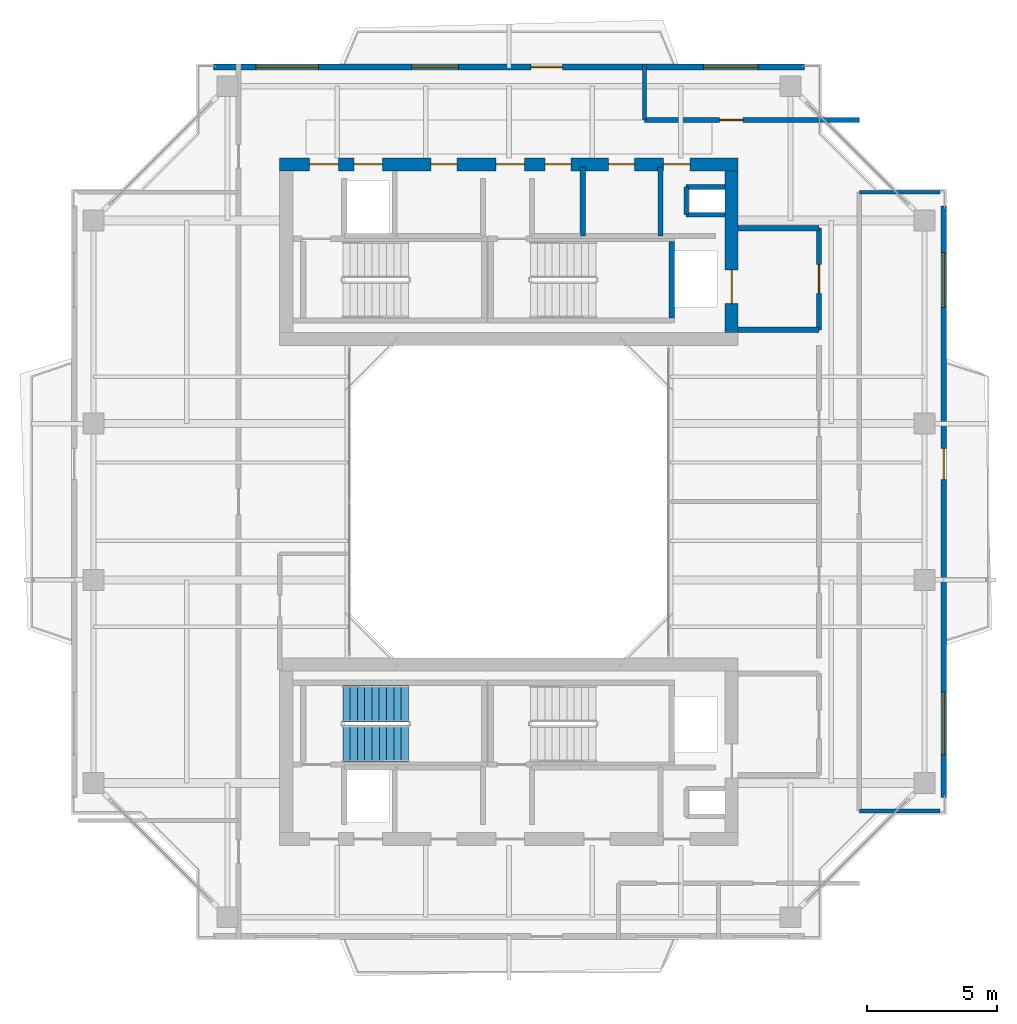
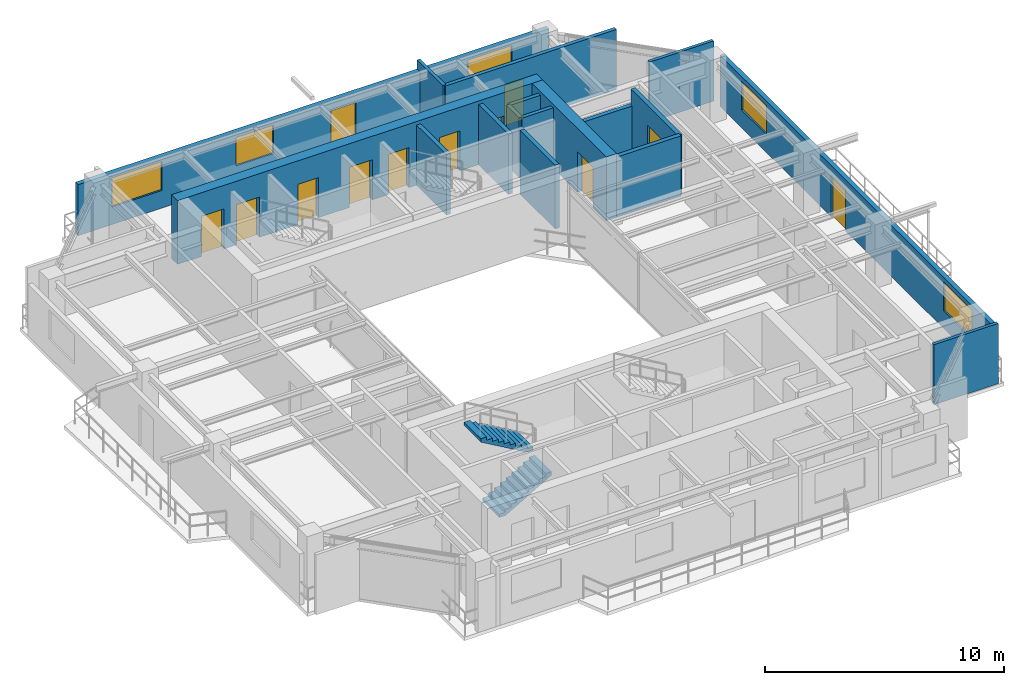
# One storey, part 12 of 15: 17 walls, 12 doors, 5 windows, 2 stair flights, 17 openings, 1 element without a shape of its own.
"""IFC4 building model written with IfcOpenShell, lengths in metres."""

import ifcopenshell
import ifcopenshell.guid

model = None  # the IFC model being written
_history = None  # IfcOwnerHistory: only IFC2X3 demands one
_inside = {}  # id of a spatial element -> (the spatial element, [elements in it])
_under = {}  # id of a project, library or spatial element -> (it, [spatial elements below it])
_declared = {}  # id of a project -> (the project, [libraries it declares])
_typed = {}  # id of a type object -> (the type object, [elements of that type])
_made_of = {}  # id of a material, layer set ... -> (it, [elements and type objects made of it])


def new_model(schema):
    """Start an empty IFC model of exactly this schema.

    Asked for "IFC4X3", IfcOpenShell would pick the latest addendum, in which some entities
    have other attributes; the version numbers below select the first issue.
    IFC2X3 requires an IfcOwnerHistory on every rooted entity: one is made here for all.
    """
    global model, _history
    if schema == "IFC4X3":
        model = ifcopenshell.file(schema_version=(4, 3, 0, 0))
    else:
        model = ifcopenshell.file(schema=schema)
    _inside.clear()
    _under.clear()
    _declared.clear()
    _typed.clear()
    _made_of.clear()
    _history = None
    if model.schema == "IFC2X3":
        org = make("IfcOrganization", Name="unknown")
        user = make(
            "IfcPersonAndOrganization",
            ThePerson=make("IfcPerson", FamilyName="unknown"),
            TheOrganization=org,
        )
        app = make(
            "IfcApplication",
            ApplicationDeveloper=org,
            Version="unknown",
            ApplicationFullName="unknown",
            ApplicationIdentifier="unknown",
        )
        _history = make(
            "IfcOwnerHistory",
            OwningUser=user,
            OwningApplication=app,
            ChangeAction="ADDED",
            CreationDate=0,
        )
    return model


def make(cls, **values):
    """One entity of the class cls with the attributes given. An attribute that is None is left unset."""
    return model.create_entity(
        cls, **{name: value for name, value in values.items() if value is not None}
    )


def rooted(cls, **values):
    """An entity with a GlobalId (a new one), such as an element, a storey or a relation."""
    return make(cls, GlobalId=ifcopenshell.guid.new(), OwnerHistory=_history, **values)


def si_unit(unit_type, name, prefix=None):
    """IfcSIUnit, for example si_unit("LENGTHUNIT", "METRE", prefix="MILLI")."""
    return make("IfcSIUnit", UnitType=unit_type, Prefix=prefix, Name=name)


def assignment(units):
    """IfcUnitAssignment: the units of a project."""
    return None if units is None else make("IfcUnitAssignment", Units=units)


def point(xyz):
    """IfcCartesianPoint."""
    return None if xyz is None else make("IfcCartesianPoint", Coordinates=xyz)


def direction(xyz):
    """IfcDirection."""
    return None if xyz is None else make("IfcDirection", DirectionRatios=xyz)


def frame(location, z_axis=None, x_axis=None):
    """IfcAxis2Placement3D, a coordinate frame: its origin and axes. An axis left out is left unset."""
    return make(
        "IfcAxis2Placement3D",
        Location=point(location),
        Axis=direction(z_axis),
        RefDirection=direction(x_axis),
    )


def frame_2d(location, x_axis=None):
    """IfcAxis2Placement2D, a coordinate frame in the plane: its origin and x axis."""
    return make(
        "IfcAxis2Placement2D", Location=point(location), RefDirection=direction(x_axis)
    )


def origin():
    """The frame at (0, 0, 0) with its axes left unset."""
    return frame((0.0, 0.0, 0.0))


def place(relative_to, where):
    """IfcLocalPlacement: puts the frame where relative to a parent placement (None: the world)."""
    return make(
        "IfcLocalPlacement", PlacementRelTo=relative_to, RelativePlacement=where
    )


def context(
    kind, dimensions, precision=None, world=None, true_north=None, identifier=None
):
    """IfcGeometricRepresentationContext, for example the 3D "Model" context."""
    return make(
        "IfcGeometricRepresentationContext",
        ContextIdentifier=identifier,
        ContextType=kind,
        CoordinateSpaceDimension=dimensions,
        Precision=precision,
        WorldCoordinateSystem=world,
        TrueNorth=true_north,
    )


def subcontext(parent, identifier, kind, view, scale=None):
    """IfcGeometricRepresentationSubContext, for example "Body" below "Model"."""
    return make(
        "IfcGeometricRepresentationSubContext",
        ContextIdentifier=identifier,
        ContextType=kind,
        ParentContext=parent,
        TargetScale=scale,
        TargetView=view,
    )


def project(units=None, contexts=None):
    """IfcProject with its units and contexts."""
    return rooted(
        "IfcProject",
        Name="project",
        RepresentationContexts=contexts,
        UnitsInContext=assignment(units),
    )


def spatial(cls, under=None, at=None, **own):
    """A site, building, storey or space (cls), placed at a placement, below another one or the project."""
    s = rooted(cls, ObjectPlacement=at, **own)
    if under is not None:
        _under.setdefault(under.id(), (under, []))[1].append(s)
    return s


def polyline(points):
    """IfcPolyline through the points."""
    return make("IfcPolyline", Points=[point(p) for p in points])


def profile(cls, at=None, kind="AREA", **sizes):
    """A parametric profile (cls). Its sizes go by their IFC names, for example OverallWidth=200.0."""
    return make(cls, ProfileType=kind, Position=at, **sizes)


def rectangle(**sizes):
    """IfcRectangleProfileDef."""
    return profile("IfcRectangleProfileDef", **sizes)


def outline(outer, holes=None, kind="AREA"):
    """IfcArbitraryClosedProfileDef: a profile drawn as a closed curve; with holes, ...WithVoids."""
    if holes is None:
        return make("IfcArbitraryClosedProfileDef", ProfileType=kind, OuterCurve=outer)
    return make(
        "IfcArbitraryProfileDefWithVoids",
        ProfileType=kind,
        OuterCurve=outer,
        InnerCurves=holes,
    )


def extrude(swept, where, along, depth):
    """IfcExtrudedAreaSolid: the profile swept, set in the frame where, extruded along a direction by depth."""
    return make(
        "IfcExtrudedAreaSolid",
        SweptArea=swept,
        Position=where,
        ExtrudedDirection=direction(along),
        Depth=depth,
    )


def shape(context_of_items, identifier, shape_type, items):
    """IfcShapeRepresentation: the items that make up one representation, for example the "Body"."""
    return make(
        "IfcShapeRepresentation",
        ContextOfItems=context_of_items,
        RepresentationIdentifier=identifier,
        RepresentationType=shape_type,
        Items=items,
    )


def source(mapping_origin, context_of_items, identifier, shape_type, items):
    """IfcRepresentationMap: a shape defined once, which mapped items show again and again."""
    return make(
        "IfcRepresentationMap",
        MappingOrigin=mapping_origin,
        MappedRepresentation=shape(context_of_items, identifier, shape_type, items),
    )


def transform(
    local_origin,
    x_axis=None,
    y_axis=None,
    z_axis=None,
    scale=None,
    scale2=None,
    scale3=None,
    uniform=True,
):
    """IfcCartesianTransformationOperator3D, or its non-uniform kind. x_axis, y_axis, z_axis: its Axis1, 2, 3."""
    if uniform:
        return make(
            "IfcCartesianTransformationOperator3D",
            Axis1=direction(x_axis),
            Axis2=direction(y_axis),
            LocalOrigin=point(local_origin),
            Scale=scale,
            Axis3=direction(z_axis),
        )
    return make(
        "IfcCartesianTransformationOperator3DnonUniform",
        Axis1=direction(x_axis),
        Axis2=direction(y_axis),
        LocalOrigin=point(local_origin),
        Scale=scale,
        Axis3=direction(z_axis),
        Scale2=scale2,
        Scale3=scale3,
    )


def mapped(mapping_source, mapping_target):
    """IfcMappedItem: shows the shape of a source again, moved by a transform."""
    return make(
        "IfcMappedItem", MappingSource=mapping_source, MappingTarget=mapping_target
    )


def material(Name=None, Category=None):
    """IfcMaterial."""
    return make("IfcMaterial", Name=Name, Category=Category)


def layer(
    of_material, thickness, ventilated=None, Name=None, Category=None, Priority=None
):
    """IfcMaterialLayer: one layer of a wall or slab, of a material (None: an air gap)."""
    return make(
        "IfcMaterialLayer",
        Material=of_material,
        LayerThickness=thickness,
        IsVentilated=ventilated,
        Name=Name,
        Category=Category,
        Priority=Priority,
    )


def layer_set(layers, Name=None):
    """IfcMaterialLayerSet."""
    return make("IfcMaterialLayerSet", MaterialLayers=layers, LayerSetName=Name)


def made_of(thing, what):
    """Note that an element or type object is made of a material, layer set ...; save() writes the relation."""
    if what is not None:
        _made_of.setdefault(what.id(), (what, []))[1].append(thing)
    return thing


def type_object(cls, material=None, **own):
    """A type object (cls), such as IfcWallType, which elements share."""
    return made_of(rooted(cls, **own), material)


def element(
    cls,
    number,
    at=None,
    inside=None,
    cuts=None,
    type_object=None,
    material=None,
    context=None,
    identifier="Body",
    shape_type=None,
    held_by="IfcProductDefinitionShape",
    body=None,
    shapes=None,
    **own,
):
    """One element of the class cls, such as IfcWall. Its Tag is "e" and its number.

    at: its placement. inside: the storey or other place that contains it. cuts: it is an
    opening in that element (IfcRelVoidsElement). A single representation is given by context,
    identifier, shape_type and body (its items); several are given by shapes. held_by: the class
    of the entity that holds the representations. save() writes the other relations.
    """
    e = rooted(cls, Tag="e%d" % number, ObjectPlacement=at, **own)
    if body is not None:
        shapes = [shape(context, identifier, shape_type, body)]
    if shapes is not None:
        e.Representation = make(held_by, Representations=shapes)
    if inside is not None:
        _inside.setdefault(inside.id(), (inside, []))[1].append(e)
    if cuts is not None:
        rooted(
            "IfcRelVoidsElement", RelatingBuildingElement=cuts, RelatedOpeningElement=e
        )
    if type_object is not None:
        _typed.setdefault(type_object.id(), (type_object, []))[1].append(e)
    return made_of(e, material)


def fill(opening, filler):
    """IfcRelFillsElement: the door or window that sits in an opening."""
    return rooted(
        "IfcRelFillsElement",
        RelatingOpeningElement=opening,
        RelatedBuildingElement=filler,
    )


def aggregate(whole, parts):
    """IfcRelAggregates: a whole, such as a stair, and the parts it consists of."""
    return rooted("IfcRelAggregates", RelatingObject=whole, RelatedObjects=parts)


def save(model, path):
    """Write the relations noted so far, then the file.

    IfcRelAggregates (storeys below a building ...), IfcRelContainedInSpatialStructure (elements
    in a storey), IfcRelDefinesByType, IfcRelAssociatesMaterial and IfcRelDeclares: one each for
    every whole, place, type object, material and project.
    """
    for whole, parts in _under.values():
        aggregate(whole, parts)
    for where, things in _inside.values():
        rooted(
            "IfcRelContainedInSpatialStructure",
            RelatedElements=things,
            RelatingStructure=where,
        )
    for kind, things in _typed.values():
        rooted("IfcRelDefinesByType", RelatedObjects=things, RelatingType=kind)
    for what, things in _made_of.values():
        rooted("IfcRelAssociatesMaterial", RelatedObjects=things, RelatingMaterial=what)
    for by, libraries in _declared.values():
        rooted("IfcRelDeclares", RelatingContext=by, RelatedDefinitions=libraries)
    model.write(path)


model = new_model("IFC4")

# Units and contexts
model_context = context("Model", 3, precision=1e-05, world=origin(), true_north=direction((0.0, 1.0)))
body_context = subcontext(model_context, "Body", "Model", "MODEL_VIEW")
ifc_project = project(units=[si_unit("LENGTHUNIT", "METRE"), si_unit("AREAUNIT", "SQUARE_METRE"), si_unit("VOLUMEUNIT", "CUBIC_METRE"), si_unit("PLANEANGLEUNIT", "RADIAN"), si_unit("MASSUNIT", "GRAM", prefix="KILO"), si_unit("THERMODYNAMICTEMPERATUREUNIT", "KELVIN"), si_unit("POWERUNIT", "WATT")], contexts=[model_context])

# Site, building, storey
site_placement = place(None, origin())
site = spatial("IfcSite", under=ifc_project, at=site_placement, CompositionType="ELEMENT")
building_placement = place(site_placement, origin())
building = spatial("IfcBuilding", under=site, at=building_placement, Name="Qiaomeng Ring Towers", CompositionType="ELEMENT")
storey_placement = place(building_placement, frame((0.0, 0.0, 226.25)))
storey = spatial("IfcBuildingStorey", under=building, at=storey_placement, Name="L66", CompositionType="ELEMENT", Elevation=226.25)

# Wall, openings, windows, door
ifc_material_1 = material(Name="Precast concrete C40", Category="concrete")
ifc_layer_1 = layer(ifc_material_1, 0.219970703125, Name="Precast concrete C40")
ifc_layer_set_1 = layer_set([ifc_layer_1], Name="Precast concrete C40")
wall_type_1 = type_object("IfcWallType", Name="ARC-WL-EW2", PredefinedType="STANDARD", material=ifc_layer_set_1)
wall_1_placement = place(storey_placement, frame((7.64990234375, 39.68994140625, 0.0), z_axis=(0.0, 0.0, 1.0), x_axis=(1.0, 0.0, 0.0)))
wall_1 = element("IfcWall", 1, at=wall_1_placement, inside=storey, type_object=wall_type_1, Name="L66 Tower 1 N Exterior Wall", PredefinedType="STANDARD", context=body_context, shape_type="SweptSolid", body=[
    extrude(rectangle(XDim=22.7001953125, YDim=0.219970703125, at=frame_2d((11.35009765625, 0.0))), origin(), (0.0, 0.0, 1.0), 2.610107421875),
])
opening_1_placement = place(wall_1_placement, frame((12.199951171875, 0.0, 0.0)))
opening_1 = element("IfcOpeningElement", 2, at=opening_1_placement, cuts=wall_1, Name="Opening BD1", PredefinedType="OPENING", context=body_context, shape_type="SweptSolid", body=[
    extrude(rectangle(XDim=1.199951171875, YDim=2.10009765625, at=frame_2d((0.60009765625, 1.050048828125))), frame((0.0, 0.119873046875, 0.0), z_axis=(0.0, -1.0, 0.0), x_axis=(1.0, 0.0, 0.0)), (0.0, 0.0, 1.0), 0.239990234375),
])
opening_2_placement = place(wall_1_placement, frame((1.636962890625, 0.0, 0.89990234375)))
opening_2 = element("IfcOpeningElement", 3, at=opening_2_placement, cuts=wall_1, Name="Opening WN6", PredefinedType="OPENING", context=body_context, shape_type="SweptSolid", body=[
    extrude(rectangle(XDim=2.39990234375, YDim=1.47998046875, at=frame_2d((1.199951171875, 0.739990234375))), frame((0.0, 0.119873046875, 0.0), z_axis=(0.0, -1.0, 0.0), x_axis=(1.0, 0.0, 0.0)), (0.0, 0.0, 1.0), 0.239990234375),
])
opening_3_placement = place(wall_1_placement, frame((7.612060546875, 0.0, 0.89990234375)))
opening_3 = element("IfcOpeningElement", 4, at=opening_3_placement, cuts=wall_1, Name="Opening WN1", PredefinedType="OPENING", context=body_context, shape_type="SweptSolid", body=[
    extrude(rectangle(XDim=1.800048828125, YDim=1.449951171875, at=frame_2d((0.89990234375, 0.72509765625))), frame((0.0, 0.119873046875, 0.0), z_axis=(0.0, -1.0, 0.0), x_axis=(1.0, 0.0, 0.0)), (0.0, 0.0, 1.0), 0.239990234375),
])
opening_4_placement = place(wall_1_placement, frame((18.81201171875, 0.0, 0.89990234375)))
opening_4 = element("IfcOpeningElement", 5, at=opening_4_placement, cuts=wall_1, Name="Opening WN4", PredefinedType="OPENING", context=body_context, shape_type="SweptSolid", body=[
    extrude(rectangle(XDim=2.10009765625, YDim=1.47998046875, at=frame_2d((1.050048828125, 0.739990234375))), frame((0.0, 0.119873046875, 0.0), z_axis=(0.0, -1.0, 0.0), x_axis=(1.0, 0.0, 0.0)), (0.0, 0.0, 1.0), 0.239990234375),
])
ifc_material_2 = material(Name="Low-E dark-grey laminated double glazing", Category="glass")
window_type_1 = type_object("IfcWindowType", Name="ARC-WN-4", PartitioningType="TRIPLE_PANEL_VERTICAL", PredefinedType="WINDOW", material=ifc_material_2)
shared_shape_1 = source(origin(), body_context, "Body", "SweptSolid", [
    extrude(rectangle(XDim=2.10009765625, YDim=1.47998046875, at=frame_2d((1.050048828125, 0.739990234375))), frame((0.0, 0.030029296875, 0.0), z_axis=(0.0, -1.0, 0.0), x_axis=(1.0, 0.0, 0.0)), (0.0, 0.0, 1.0), 0.06005859375),
])
window_1_placement = place(opening_4_placement, origin())
window_1 = element("IfcWindow", 6, at=window_1_placement, inside=storey, type_object=window_type_1, Name="L66 Exterior Window WN4", OverallHeight=1.47998046875, OverallWidth=2.10009765625, PartitioningType="TRIPLE_PANEL_VERTICAL", PredefinedType="WINDOW", context=body_context, shape_type="MappedRepresentation", body=[
    mapped(shared_shape_1, transform((0.0, 0.0, 0.0), x_axis=(1.0, 0.0, 0.0), y_axis=(0.0, 1.0, 0.0), z_axis=(0.0, 0.0, 1.0), scale=1.0)),
])
fill(opening_4, window_1)
window_type_2 = type_object("IfcWindowType", Name="ARC-WN-1", PartitioningType="DOUBLE_PANEL_VERTICAL", PredefinedType="WINDOW", material=ifc_material_2)
shared_shape_2 = source(origin(), body_context, "Body", "SweptSolid", [
    extrude(rectangle(XDim=1.800048828125, YDim=1.449951171875, at=frame_2d((0.89990234375, 0.72509765625))), frame((0.0, 0.030029296875, 0.0), z_axis=(0.0, -1.0, 0.0), x_axis=(1.0, 0.0, 0.0)), (0.0, 0.0, 1.0), 0.06005859375),
])
window_2_placement = place(opening_3_placement, origin())
window_2 = element("IfcWindow", 7, at=window_2_placement, inside=storey, type_object=window_type_2, Name="L66 Exterior Window WN1", OverallHeight=1.449951171875, OverallWidth=1.800048828125, PartitioningType="DOUBLE_PANEL_VERTICAL", PredefinedType="WINDOW", context=body_context, shape_type="MappedRepresentation", body=[
    mapped(shared_shape_2, transform((0.0, 0.0, 0.0), x_axis=(1.0, 0.0, 0.0), y_axis=(0.0, 1.0, 0.0), z_axis=(0.0, 0.0, 1.0), scale=1.0)),
])
fill(opening_3, window_2)
window_type_3 = type_object("IfcWindowType", Name="ARC-WN-6", PartitioningType="TRIPLE_PANEL_VERTICAL", PredefinedType="WINDOW", material=ifc_material_2)
shared_shape_3 = source(origin(), body_context, "Body", "SweptSolid", [
    extrude(rectangle(XDim=2.39990234375, YDim=1.47998046875, at=frame_2d((1.199951171875, 0.739990234375))), frame((0.0, 0.030029296875, 0.0), z_axis=(0.0, -1.0, 0.0), x_axis=(1.0, 0.0, 0.0)), (0.0, 0.0, 1.0), 0.06005859375),
])
window_3_placement = place(opening_2_placement, origin())
window_3 = element("IfcWindow", 8, at=window_3_placement, inside=storey, type_object=window_type_3, Name="L66 Exterior Window WN6", OverallHeight=1.47998046875, OverallWidth=2.39990234375, PartitioningType="TRIPLE_PANEL_VERTICAL", PredefinedType="WINDOW", context=body_context, shape_type="MappedRepresentation", body=[
    mapped(shared_shape_3, transform((0.0, 0.0, 0.0), x_axis=(1.0, 0.0, 0.0), y_axis=(0.0, 1.0, 0.0), z_axis=(0.0, 0.0, 1.0), scale=1.0)),
])
fill(opening_2, window_3)
door_type_1 = type_object("IfcDoorType", Name="ARC-DR-BD1", OperationType="NOTDEFINED", PredefinedType="DOOR", material=ifc_material_2)
shared_shape_4 = source(origin(), body_context, "Body", "SweptSolid", [
    extrude(rectangle(XDim=1.199951171875, YDim=2.10009765625, at=frame_2d((0.60009765625, 1.050048828125))), frame((0.0, 0.02490234375, 0.0), z_axis=(0.0, -1.0, 0.0), x_axis=(1.0, 0.0, 0.0)), (0.0, 0.0, 1.0), 0.050048828125),
])
door_1_placement = place(opening_1_placement, origin())
door_1 = element("IfcDoor", 9, at=door_1_placement, inside=storey, type_object=door_type_1, Name="L66 N Balcony Glazed Door", OperationType="SINGLE_SWING_LEFT", OverallHeight=2.10009765625, OverallWidth=1.199951171875, PredefinedType="DOOR", context=body_context, shape_type="MappedRepresentation", body=[
    mapped(shared_shape_4, transform((0.0, 0.0, 0.0), x_axis=(1.0, 0.0, 0.0), y_axis=(0.0, 1.0, 0.0), z_axis=(0.0, 0.0, 1.0), scale=1.0)),
])
fill(opening_1, door_1)

wall_2_placement = place(storey_placement, frame((35.68994140625, 11.64990234375, 0.0), z_axis=(0.0, 0.0, 1.0), x_axis=(0.0, 1.0, 0.0)))
wall_2 = element("IfcWall", 10, at=wall_2_placement, inside=storey, type_object=wall_type_1, Name="L66 Tower 1 E Exterior Wall", PredefinedType="STANDARD", context=body_context, shape_type="SweptSolid", body=[
    extrude(rectangle(XDim=22.7001953125, YDim=0.219970703125, at=frame_2d((11.35009765625, 0.0))), origin(), (0.0, 0.0, 1.0), 2.610107421875),
])
opening_5_placement = place(wall_2_placement, frame((12.199951171875, 0.0, 0.0)))
opening_5 = element("IfcOpeningElement", 11, at=opening_5_placement, cuts=wall_2, Name="Opening BD1", PredefinedType="OPENING", context=body_context, shape_type="SweptSolid", body=[
    extrude(rectangle(XDim=1.199951171875, YDim=2.10009765625, at=frame_2d((0.60009765625, 1.050048828125))), frame((0.0, 0.119873046875, 0.0), z_axis=(0.0, -1.0, 0.0), x_axis=(1.0, 0.0, 0.0)), (0.0, 0.0, 1.0), 0.239990234375),
])
opening_6_placement = place(wall_2_placement, frame((1.637939453125, 0.0, 0.89990234375)))
opening_6 = element("IfcOpeningElement", 12, at=opening_6_placement, cuts=wall_2, Name="Opening WN6", PredefinedType="OPENING", context=body_context, shape_type="SweptSolid", body=[
    extrude(rectangle(XDim=2.39990234375, YDim=1.47998046875, at=frame_2d((1.199951171875, 0.739990234375))), frame((0.0, 0.119873046875, 0.0), z_axis=(0.0, -1.0, 0.0), x_axis=(1.0, 0.0, 0.0)), (0.0, 0.0, 1.0), 0.239990234375),
])
opening_7_placement = place(wall_2_placement, frame((18.81298828125, 0.0, 0.89990234375)))
opening_7 = element("IfcOpeningElement", 13, at=opening_7_placement, cuts=wall_2, Name="Opening WN4", PredefinedType="OPENING", context=body_context, shape_type="SweptSolid", body=[
    extrude(rectangle(XDim=2.10009765625, YDim=1.47998046875, at=frame_2d((1.050048828125, 0.739990234375))), frame((0.0, 0.119873046875, 0.0), z_axis=(0.0, -1.0, 0.0), x_axis=(1.0, 0.0, 0.0)), (0.0, 0.0, 1.0), 0.239990234375),
])
window_4_placement = place(opening_7_placement, origin())
window_4 = element("IfcWindow", 14, at=window_4_placement, inside=storey, type_object=window_type_1, Name="L66 Exterior Window WN4", OverallHeight=1.47998046875, OverallWidth=2.10009765625, PartitioningType="TRIPLE_PANEL_VERTICAL", PredefinedType="WINDOW", context=body_context, shape_type="MappedRepresentation", body=[
    mapped(shared_shape_1, transform((0.0, 0.0, 0.0), x_axis=(1.0, 0.0, 0.0), y_axis=(0.0, 1.0, 0.0), z_axis=(0.0, 0.0, 1.0), scale=1.0)),
])
fill(opening_7, window_4)
window_5_placement = place(opening_6_placement, origin())
window_5 = element("IfcWindow", 15, at=window_5_placement, inside=storey, type_object=window_type_3, Name="L66 Exterior Window WN6", OverallHeight=1.47998046875, OverallWidth=2.39990234375, PartitioningType="TRIPLE_PANEL_VERTICAL", PredefinedType="WINDOW", context=body_context, shape_type="MappedRepresentation", body=[
    mapped(shared_shape_3, transform((0.0, 0.0, 0.0), x_axis=(1.0, 0.0, 0.0), y_axis=(0.0, 1.0, 0.0), z_axis=(0.0, 0.0, 1.0), scale=1.0)),
])
fill(opening_6, window_5)
door_2_placement = place(opening_5_placement, origin())
door_2 = element("IfcDoor", 16, at=door_2_placement, inside=storey, type_object=door_type_1, Name="L66 E Balcony Glazed Door", OperationType="SINGLE_SWING_LEFT", OverallHeight=2.10009765625, OverallWidth=1.199951171875, PredefinedType="DOOR", context=body_context, shape_type="MappedRepresentation", body=[
    mapped(shared_shape_4, transform((0.0, 0.0, 0.0), x_axis=(1.0, 0.0, 0.0), y_axis=(0.0, 1.0, 0.0), z_axis=(0.0, 0.0, 1.0), scale=1.0)),
])
fill(opening_5, door_2)

# Walls
ifc_material_3 = material(Name="Autoclaved aerated concrete block", Category="concrete")
ifc_layer_2 = layer(ifc_material_3, 0.199951171875, Name="Autoclaved aerated concrete block")
ifc_layer_set_2 = layer_set([ifc_layer_2], Name="Autoclaved aerated concrete block")
wall_type_2 = type_object("IfcWallType", Name="ARC-WL-PW1", PredefinedType="PARTITIONING", material=ifc_layer_set_2)
wall_3_placement = place(storey_placement, frame((27.800048828125, 29.60009765625, 0.0), z_axis=(0.0, 0.0, 1.0), x_axis=(1.0, 0.0, 0.0)))
element("IfcWall", 17, at=wall_3_placement, inside=storey, type_object=wall_type_2, Name="L66 Interior Wall PW1", PredefinedType="PARTITIONING", context=body_context, shape_type="SweptSolid", body=[
    extrude(rectangle(XDim=3.099853515625, YDim=0.199951171875, at=frame_2d((1.5498046875, 0.0))), origin(), (0.0, 0.0, 1.0), 3.070068359375),
])
wall_4_placement = place(storey_placement, frame((27.800048828125, 33.5, 0.0), z_axis=(0.0, 0.0, 1.0), x_axis=(1.0, 0.0, 0.0)))
element("IfcWall", 18, at=wall_4_placement, inside=storey, type_object=wall_type_2, Name="L66 Interior Wall PW1", PredefinedType="PARTITIONING", context=body_context, shape_type="SweptSolid", body=[
    extrude(rectangle(XDim=3.099853515625, YDim=0.199951171875, at=frame_2d((1.5498046875, 0.0))), origin(), (0.0, 0.0, 1.0), 2.264892578125),
])

# Wall, opening, door
wall_5_placement = place(storey_placement, frame((30.89990234375, 29.60009765625, 0.0), z_axis=(0.0, 0.0, 1.0), x_axis=(0.0, 1.0, 0.0)))
wall_5 = element("IfcWall", 19, at=wall_5_placement, inside=storey, type_object=wall_type_2, Name="L66 Interior Wall PW1", PredefinedType="PARTITIONING", context=body_context, shape_type="SweptSolid", body=[
    extrude(rectangle(XDim=3.89990234375, YDim=0.199951171875, at=frame_2d((1.949951171875, 0.0))), origin(), (0.0, 0.0, 1.0), 3.070068359375),
])
opening_8_placement = place(wall_5_placement, frame((1.39990234375, 0.0, 0.0)))
opening_8 = element("IfcOpeningElement", 20, at=opening_8_placement, cuts=wall_5, Name="Opening FD3", PredefinedType="OPENING", context=body_context, shape_type="SweptSolid", body=[
    extrude(rectangle(XDim=1.10009765625, YDim=2.050048828125, at=frame_2d((0.550048828125, 1.02490234375))), frame((0.0, 0.10986328125, 0.0), z_axis=(0.0, -1.0, 0.0), x_axis=(1.0, 0.0, 0.0)), (0.0, 0.0, 1.0), 0.219970703125),
])
ifc_material_4 = material(Name="Galvanised steel", Category="steel")
door_type_2 = type_object("IfcDoorType", Name="ARC-DR-FD3", OperationType="NOTDEFINED", PredefinedType="DOOR", material=ifc_material_4)
shared_shape_5 = source(origin(), body_context, "Body", "SweptSolid", [
    extrude(rectangle(XDim=1.10009765625, YDim=2.050048828125, at=frame_2d((0.550048828125, 1.02490234375))), frame((0.0, 0.02490234375, 0.0), z_axis=(0.0, -1.0, 0.0), x_axis=(1.0, 0.0, 0.0)), (0.0, 0.0, 1.0), 0.050048828125),
])
door_3_placement = place(opening_8_placement, origin())
door_3 = element("IfcDoor", 21, at=door_3_placement, inside=storey, type_object=door_type_2, Name="L66 North FF Lobby Door", OperationType="SINGLE_SWING_LEFT", OverallHeight=2.050048828125, OverallWidth=1.10009765625, PredefinedType="DOOR", context=body_context, shape_type="MappedRepresentation", body=[
    mapped(shared_shape_5, transform((0.0, 0.0, 0.0), x_axis=(1.0, 0.0, 0.0), y_axis=(0.0, 1.0, 0.0), z_axis=(0.0, 0.0, 1.0), scale=1.0)),
])
fill(opening_8, door_3)

# Walls
for number, where, z_axis, x_axis, name in (
    (22, (24.820068359375, 33.199951171875, 0.0), (0.0, 0.0, 1.0), (0.0, 1.0, 0.0), "L66 Interior Wall PW1"),
    (23, (21.830078125, 33.199951171875, 0.0), (0.0, 0.0, 1.0), (0.0, 1.0, 0.0), "L66 Interior Wall PW1"),
):
    element("IfcWall", number, at=place(storey_placement, frame(where, z_axis=z_axis, x_axis=x_axis)), inside=storey, type_object=wall_type_2, Name=name, PredefinedType="PARTITIONING", context=body_context, shape_type="SweptSolid", body=[
        extrude(rectangle(XDim=2.650146484375, YDim=0.199951171875, at=frame_2d((1.3251953125, 0.0))), origin(), (0.0, 0.0, 1.0), 3.070068359375),
    ])

# Wall, opening, door
ifc_layer_3 = layer(ifc_material_3, 0.179931640625, Name="Autoclaved aerated concrete block")
ifc_layer_set_3 = layer_set([ifc_layer_3], Name="Autoclaved aerated concrete block")
wall_type_3 = type_object("IfcWallType", Name="ARC-WL-PW2", PredefinedType="PARTITIONING", material=ifc_layer_set_3)
wall_6_placement = place(storey_placement, frame((24.199951171875, 37.64990234375, 0.0), z_axis=(0.0, 0.0, 1.0), x_axis=(1.0, 0.0, 0.0)))
wall_6 = element("IfcWall", 24, at=wall_6_placement, inside=storey, type_object=wall_type_3, Name="L66 Interior Wall PW2", PredefinedType="PARTITIONING", context=body_context, shape_type="SweptSolid", body=[
    extrude(rectangle(XDim=8.25, YDim=0.179931640625, at=frame_2d((4.125, 0.0))), origin(), (0.0, 0.0, 1.0), 3.070068359375),
])
opening_9_placement = place(wall_6_placement, frame((2.889892578125, 0.0, 0.0)))
opening_9 = element("IfcOpeningElement", 25, at=opening_9_placement, cuts=wall_6, Name="Opening ID1", PredefinedType="OPENING", context=body_context, shape_type="SweptSolid", body=[
    extrude(rectangle(XDim=0.89990234375, YDim=2.050048828125, at=frame_2d((0.449951171875, 1.02490234375))), frame((0.0, 0.099853515625, 0.0), z_axis=(0.0, -1.0, 0.0), x_axis=(1.0, 0.0, 0.0)), (0.0, 0.0, 1.0), 0.199951171875),
])
ifc_material_5 = material(Name="Engineered oak timber", Category="wood")
door_type_3 = type_object("IfcDoorType", Name="ARC-DR-ID1", OperationType="NOTDEFINED", PredefinedType="DOOR", material=ifc_material_5)
shared_shape_6 = source(origin(), body_context, "Body", "SweptSolid", [
    extrude(rectangle(XDim=0.89990234375, YDim=2.050048828125, at=frame_2d((0.449951171875, 1.02490234375))), frame((0.0, 0.02490234375, 0.0), z_axis=(0.0, -1.0, 0.0), x_axis=(1.0, 0.0, 0.0)), (0.0, 0.0, 1.0), 0.050048828125),
])
door_4_placement = place(opening_9_placement, origin())
door_4 = element("IfcDoor", 26, at=door_4_placement, inside=storey, type_object=door_type_3, Name="L66 Door ID1", OperationType="SINGLE_SWING_RIGHT", OverallHeight=2.050048828125, OverallWidth=0.89990234375, PredefinedType="DOOR", context=body_context, shape_type="MappedRepresentation", body=[
    mapped(shared_shape_6, transform((0.0, 0.0, 0.0), x_axis=(1.0, 0.0, 0.0), y_axis=(0.0, 1.0, 0.0), z_axis=(0.0, 0.0, 1.0), scale=1.0)),
])
fill(opening_9, door_4)

# Walls
ifc_material_6 = material(Name="Gypsum fireboard steel-stud partition", Category="steel")
ifc_layer_4 = layer(ifc_material_6, 0.14990234375, Name="Gypsum fireboard steel-stud partition")
ifc_layer_set_4 = layer_set([ifc_layer_4], Name="Gypsum fireboard steel-stud partition")
wall_type_4 = type_object("IfcWallType", Name="ARC-WL-PW3", PredefinedType="PARTITIONING", material=ifc_layer_set_4)
wall_7_placement = place(storey_placement, frame((24.199951171875, 37.64990234375, 0.0), z_axis=(0.0, 0.0, 1.0), x_axis=(0.0, 1.0, 0.0)))
element("IfcWall", 27, at=wall_7_placement, inside=storey, type_object=wall_type_4, Name="L66 Interior Wall PW3", PredefinedType="PARTITIONING", context=body_context, shape_type="SweptSolid", body=[
    extrude(rectangle(XDim=2.150146484375, YDim=0.14990234375, at=frame_2d((1.0751953125, 0.0))), origin(), (0.0, 0.0, 1.0), 3.070068359375),
])
for number, where, z_axis, x_axis, name in (
    (28, (32.449951171875, 34.8798828125, 0.0), (0.0, 0.0, 1.0), (1.0, 0.0, 0.0), "L66 Interior Wall PW3"),
    (29, (32.449951171875, 11.1201171875, 0.0), (0.0, 0.0, 1.0), (1.0, 0.0, 0.0), "L66 Interior Wall PW3"),
):
    element("IfcWall", number, at=place(storey_placement, frame(where, z_axis=z_axis, x_axis=x_axis)), inside=storey, type_object=wall_type_4, Name=name, PredefinedType="PARTITIONING", context=body_context, shape_type="SweptSolid", body=[
        extrude(rectangle(XDim=3.10009765625, YDim=0.14990234375, at=frame_2d((1.550048828125, 0.0))), origin(), (0.0, 0.0, 1.0), 3.070068359375),
    ])
ifc_material_7 = material(Name="Concrete C40", Category="concrete")
ifc_layer_5 = layer(ifc_material_7, 0.199951171875, Name="Concrete C40")
ifc_layer_set_5 = layer_set([ifc_layer_5], Name="Concrete C40")
wall_type_5 = type_object("IfcWallType", Name="STR-WL-STSHAFT", PredefinedType="SHEAR", material=ifc_layer_set_5)
wall_8_placement = place(storey_placement, frame((25.800048828125, 34.02001953125, 0.0), z_axis=(0.0, 0.0, 1.0), x_axis=(0.0, 1.0, 0.0)))
element("IfcWall", 30, at=wall_8_placement, inside=storey, type_object=wall_type_5, Name="L66 Riser RSR1 West Shaft Wall N", PredefinedType="SHEAR", context=body_context, shape_type="SweptSolid", body=[
    extrude(rectangle(XDim=1.06005859375, YDim=0.179931640625, at=frame_2d((0.530029296875, 0.0))), origin(), (0.0, 0.0, 1.0), 3.070068359375),
])
for number, where, z_axis, x_axis, name in (
    (31, (25.800048828125, 35.080078125, 0.0), (0.0, 0.0, 1.0), (1.0, 0.0, 0.0), "L66 Riser RSR1 North Shaft Wall N"),
    (32, (25.800048828125, 34.02001953125, 0.0), (0.0, 0.0, 1.0), (1.0, 0.0, 0.0), "L66 Riser RSR1 South Shaft Wall N"),
):
    element("IfcWall", number, at=place(storey_placement, frame(where, z_axis=z_axis, x_axis=x_axis)), inside=storey, type_object=wall_type_5, Name=name, PredefinedType="SHEAR", context=body_context, shape_type="SweptSolid", body=[
        extrude(rectangle(XDim=1.5, YDim=0.179931640625, at=frame_2d((0.75, 0.0))), origin(), (0.0, 0.0, 1.0), 3.070068359375),
    ])
wall_9_placement = place(storey_placement, frame((25.25, 30.050048828125, 0.0), z_axis=(0.0, 0.0, 1.0), x_axis=(0.0, 1.0, 0.0)))
element("IfcWall", 33, at=wall_9_placement, inside=storey, type_object=wall_type_5, Name="L66 Stair ST2 East Shaft Shear Wall", PredefinedType="SHEAR", context=body_context, shape_type="SweptSolid", body=[
    extrude(rectangle(XDim=2.93994140625, YDim=0.199951171875, at=frame_2d((1.469970703125, 0.0))), origin(), (0.0, 0.0, 1.0), 3.25),
])

# Wall, openings, doors
ifc_layer_6 = layer(ifc_material_7, 0.5, Name="Concrete C40")
ifc_layer_set_6 = layer_set([ifc_layer_6], Name="Concrete C40")
wall_type_6 = type_object("IfcWallType", Name="STR-WL-SW3", PredefinedType="SHEAR", material=ifc_layer_set_6)
wall_10_placement = place(storey_placement, frame((10.199951171875, 35.949951171875, 0.0), z_axis=(0.0, 0.0, 1.0), x_axis=(1.0, 0.0, 0.0)))
wall_10 = element("IfcWall", 34, at=wall_10_placement, inside=storey, type_object=wall_type_6, Name="L66 T1NC north core shear wall", PredefinedType="SHEAR", context=body_context, shape_type="SweptSolid", body=[
    extrude(rectangle(XDim=17.60009765625, YDim=0.5, at=frame_2d((8.800048828125, 0.0))), origin(), (0.0, 0.0, 1.0), 3.25),
])
opening_10_placement = place(wall_10_placement, frame((1.14990234375, 0.0, 0.0)))
opening_10 = element("IfcOpeningElement", 35, at=opening_10_placement, cuts=wall_10, Name="Opening FD3", PredefinedType="OPENING", context=body_context, shape_type="SweptSolid", body=[
    extrude(rectangle(XDim=1.10009765625, YDim=2.050048828125, at=frame_2d((0.550048828125, 1.02490234375))), frame((0.0, 0.260009765625, 0.0), z_axis=(0.0, -1.0, 0.0), x_axis=(1.0, 0.0, 0.0)), (0.0, 0.0, 1.0), 0.52001953125),
])
opening_11_placement = place(wall_10_placement, frame((8.300048828125, 0.0, 0.0)))
opening_11 = element("IfcOpeningElement", 36, at=opening_11_placement, cuts=wall_10, Name="Opening FD3", PredefinedType="OPENING", context=body_context, shape_type="SweptSolid", body=[
    extrude(rectangle(XDim=1.10009765625, YDim=2.050048828125, at=frame_2d((0.550048828125, 1.02490234375))), frame((0.0, 0.260009765625, 0.0), z_axis=(0.0, -1.0, 0.0), x_axis=(1.0, 0.0, 0.0)), (0.0, 0.0, 1.0), 0.52001953125),
])
opening_12_placement = place(wall_10_placement, frame((2.85009765625, 0.0, 0.0)))
opening_12 = element("IfcOpeningElement", 37, at=opening_12_placement, cuts=wall_10, Name="Opening LD1", PredefinedType="OPENING", context=body_context, shape_type="SweptSolid", body=[
    extrude(rectangle(XDim=1.10009765625, YDim=2.050048828125, at=frame_2d((0.550048828125, 1.02490234375))), frame((0.0, 0.260009765625, 0.0), z_axis=(0.0, -1.0, 0.0), x_axis=(1.0, 0.0, 0.0)), (0.0, 0.0, 1.0), 0.52001953125),
])
opening_13_placement = place(wall_10_placement, frame((5.800048828125, 0.0, 0.0)))
opening_13 = element("IfcOpeningElement", 38, at=opening_13_placement, cuts=wall_10, Name="Opening FD1", PredefinedType="OPENING", context=body_context, shape_type="SweptSolid", body=[
    extrude(rectangle(XDim=1.0, YDim=2.050048828125, at=frame_2d((0.5, 1.02490234375))), frame((0.0, 0.260009765625, 0.0), z_axis=(0.0, -1.0, 0.0), x_axis=(1.0, 0.0, 0.0)), (0.0, 0.0, 1.0), 0.52001953125),
])
opening_14_placement = place(wall_10_placement, frame((14.739990234375, 0.0, 0.0)))
opening_14 = element("IfcOpeningElement", 39, at=opening_14_placement, cuts=wall_10, Name="Opening FD1", PredefinedType="OPENING", context=body_context, shape_type="SweptSolid", body=[
    extrude(rectangle(XDim=1.0, YDim=2.050048828125, at=frame_2d((0.5, 1.02490234375))), frame((0.0, 0.260009765625, 0.0), z_axis=(0.0, -1.0, 0.0), x_axis=(1.0, 0.0, 0.0)), (0.0, 0.0, 1.0), 0.52001953125),
])
opening_15_placement = place(wall_10_placement, frame((10.175048828125, 0.0, 0.0)))
opening_15 = element("IfcOpeningElement", 40, at=opening_15_placement, cuts=wall_10, Name="Opening FD1", PredefinedType="OPENING", context=body_context, shape_type="SweptSolid", body=[
    extrude(rectangle(XDim=1.0, YDim=2.050048828125, at=frame_2d((0.5, 1.02490234375))), frame((0.0, 0.260009765625, 0.0), z_axis=(0.0, -1.0, 0.0), x_axis=(1.0, 0.0, 0.0)), (0.0, 0.0, 1.0), 0.52001953125),
])
opening_16_placement = place(wall_10_placement, frame((12.625, 0.0, 0.0)))
opening_16 = element("IfcOpeningElement", 41, at=opening_16_placement, cuts=wall_10, Name="Opening FD1", PredefinedType="OPENING", context=body_context, shape_type="SweptSolid", body=[
    extrude(rectangle(XDim=1.0, YDim=2.050048828125, at=frame_2d((0.5, 1.02490234375))), frame((0.0, 0.260009765625, 0.0), z_axis=(0.0, -1.0, 0.0), x_axis=(1.0, 0.0, 0.0)), (0.0, 0.0, 1.0), 0.52001953125),
])
door_5_placement = place(opening_10_placement, origin())
door_5 = element("IfcDoor", 42, at=door_5_placement, inside=storey, type_object=door_type_2, Name="L66 Stair ST1 Lobby Door", OperationType="SINGLE_SWING_LEFT", OverallHeight=2.050048828125, OverallWidth=1.10009765625, PredefinedType="DOOR", context=body_context, shape_type="MappedRepresentation", body=[
    mapped(shared_shape_5, transform((0.0, 0.0, 0.0), x_axis=(1.0, 0.0, 0.0), y_axis=(0.0, 1.0, 0.0), z_axis=(0.0, 0.0, 1.0), scale=1.0)),
])
fill(opening_10, door_5)
door_6_placement = place(opening_11_placement, origin())
door_6 = element("IfcDoor", 43, at=door_6_placement, inside=storey, type_object=door_type_2, Name="L66 Stair ST2 Lobby Door", OperationType="SINGLE_SWING_LEFT", OverallHeight=2.050048828125, OverallWidth=1.10009765625, PredefinedType="DOOR", context=body_context, shape_type="MappedRepresentation", body=[
    mapped(shared_shape_5, transform((0.0, 0.0, 0.0), x_axis=(1.0, 0.0, 0.0), y_axis=(0.0, 1.0, 0.0), z_axis=(0.0, 0.0, 1.0), scale=1.0)),
])
fill(opening_11, door_6)
ifc_material_8 = material(Name="Stainless steel 316", Category="steel")
door_type_4 = type_object("IfcDoorType", Name="ARC-DR-LD1", OperationType="NOTDEFINED", PredefinedType="DOOR", material=ifc_material_8)
door_7_placement = place(opening_12_placement, origin())
door_7 = element("IfcDoor", 44, at=door_7_placement, inside=storey, type_object=door_type_4, Name="L66 High-Zone Lift LP5 Landing Door", OperationType="SLIDING_TO_LEFT", OverallHeight=2.050048828125, OverallWidth=1.10009765625, PredefinedType="DOOR", context=body_context, shape_type="MappedRepresentation", body=[
    mapped(shared_shape_5, transform((0.0, 0.0, 0.0), x_axis=(1.0, 0.0, 0.0), y_axis=(0.0, 1.0, 0.0), z_axis=(0.0, 0.0, 1.0), scale=1.0)),
])
fill(opening_12, door_7)
door_type_5 = type_object("IfcDoorType", Name="ARC-DR-FD1", OperationType="NOTDEFINED", PredefinedType="DOOR", material=ifc_material_4)
shared_shape_7 = source(origin(), body_context, "Body", "SweptSolid", [
    extrude(rectangle(XDim=1.0, YDim=2.050048828125, at=frame_2d((0.5, 1.02490234375))), frame((0.0, 0.02490234375, 0.0), z_axis=(0.0, -1.0, 0.0), x_axis=(1.0, 0.0, 0.0)), (0.0, 0.0, 1.0), 0.050048828125),
])
door_8_placement = place(opening_13_placement, origin())
door_8 = element("IfcDoor", 45, at=door_8_placement, inside=storey, type_object=door_type_5, Name="L66 High-Zone Facilities Office Door", OperationType="SINGLE_SWING_LEFT", OverallHeight=2.050048828125, OverallWidth=1.0, PredefinedType="DOOR", context=body_context, shape_type="MappedRepresentation", body=[
    mapped(shared_shape_7, transform((0.0, 0.0, 0.0), x_axis=(1.0, 0.0, 0.0), y_axis=(0.0, 1.0, 0.0), z_axis=(0.0, 0.0, 1.0), scale=1.0)),
])
fill(opening_13, door_8)
door_9_placement = place(opening_14_placement, origin())
door_9 = element("IfcDoor", 46, at=door_9_placement, inside=storey, type_object=door_type_5, Name="L66 North Electrical Riser Door", OperationType="SINGLE_SWING_LEFT", OverallHeight=2.050048828125, OverallWidth=1.0, PredefinedType="DOOR", context=body_context, shape_type="MappedRepresentation", body=[
    mapped(shared_shape_7, transform((0.0, 0.0, 0.0), x_axis=(1.0, 0.0, 0.0), y_axis=(0.0, 1.0, 0.0), z_axis=(0.0, 0.0, 1.0), scale=1.0)),
])
fill(opening_14, door_9)
door_10_placement = place(opening_15_placement, origin())
door_10 = element("IfcDoor", 47, at=door_10_placement, inside=storey, type_object=door_type_5, Name="L66 North Cleaners Store Door", OperationType="SINGLE_SWING_LEFT", OverallHeight=2.050048828125, OverallWidth=1.0, PredefinedType="DOOR", context=body_context, shape_type="MappedRepresentation", body=[
    mapped(shared_shape_7, transform((0.0, 0.0, 0.0), x_axis=(1.0, 0.0, 0.0), y_axis=(0.0, 1.0, 0.0), z_axis=(0.0, 0.0, 1.0), scale=1.0)),
])
fill(opening_15, door_10)
door_11_placement = place(opening_16_placement, origin())
door_11 = element("IfcDoor", 48, at=door_11_placement, inside=storey, type_object=door_type_5, Name="L66 North Telemetry Office Door", OperationType="SINGLE_SWING_RIGHT", OverallHeight=2.050048828125, OverallWidth=1.0, PredefinedType="DOOR", context=body_context, shape_type="MappedRepresentation", body=[
    mapped(shared_shape_7, transform((0.0, 0.0, 0.0), x_axis=(1.0, 0.0, 0.0), y_axis=(0.0, 1.0, 0.0), z_axis=(0.0, 0.0, 1.0), scale=1.0)),
])
fill(opening_16, door_11)

# Wall, opening, door
wall_11_placement = place(storey_placement, frame((27.550048828125, 29.5, 0.0), z_axis=(0.0, 0.0, 1.0), x_axis=(0.0, 1.0, 0.0)))
wall_11 = element("IfcWall", 49, at=wall_11_placement, inside=storey, type_object=wall_type_6, Name="L66 T1NC east core shear wall", PredefinedType="SHEAR", context=body_context, shape_type="SweptSolid", body=[
    extrude(rectangle(XDim=6.199951171875, YDim=0.5, at=frame_2d((3.10009765625, 0.0))), origin(), (0.0, 0.0, 1.0), 3.25),
])
opening_17_placement = place(wall_11_placement, frame((1.10009765625, 0.0, 0.0)))
opening_17 = element("IfcOpeningElement", 50, at=opening_17_placement, cuts=wall_11, Name="Opening LD2", PredefinedType="OPENING", context=body_context, shape_type="SweptSolid", body=[
    extrude(rectangle(XDim=1.300048828125, YDim=2.050048828125, at=frame_2d((0.64990234375, 1.02490234375))), frame((0.0, 0.260009765625, 0.0), z_axis=(0.0, -1.0, 0.0), x_axis=(1.0, 0.0, 0.0)), (0.0, 0.0, 1.0), 0.52001953125),
])
door_type_6 = type_object("IfcDoorType", Name="ARC-DR-LD2", OperationType="NOTDEFINED", PredefinedType="DOOR", material=ifc_material_8)
shared_shape_8 = source(origin(), body_context, "Body", "SweptSolid", [
    extrude(rectangle(XDim=1.300048828125, YDim=2.050048828125, at=frame_2d((0.64990234375, 1.02490234375))), frame((0.0, 0.02490234375, 0.0), z_axis=(0.0, -1.0, 0.0), x_axis=(1.0, 0.0, 0.0)), (0.0, 0.0, 1.0), 0.050048828125),
])
door_12_placement = place(opening_17_placement, origin())
door_12 = element("IfcDoor", 51, at=door_12_placement, inside=storey, type_object=door_type_6, Name="L66 Firefighting Lift FL1 Landing Door", OperationType="SLIDING_TO_LEFT", OverallHeight=2.050048828125, OverallWidth=1.300048828125, PredefinedType="DOOR", context=body_context, shape_type="MappedRepresentation", body=[
    mapped(shared_shape_8, transform((0.0, 0.0, 0.0), x_axis=(1.0, 0.0, 0.0), y_axis=(0.0, 1.0, 0.0), z_axis=(0.0, 0.0, 1.0), scale=1.0)),
])
fill(opening_17, door_12)

# Stair, stair flights
stair_type = type_object("IfcStairType", Name="ARC-ST-325", PredefinedType="HALF_TURN_STAIR", material=ifc_material_1)
stair_placement = place(storey_placement, origin())
stair = element("IfcStair", 52, at=stair_placement, inside=storey, type_object=stair_type, Name="L66 Tower 1 South Stair 3", PredefinedType="HALF_TURN_STAIR")
stair_flight_type = type_object("IfcStairFlightType", Name="ARC-ST-325-FL", PredefinedType="STRAIGHT", material=ifc_material_1)
shared_shape_9 = source(origin(), body_context, "Body", "SweptSolid", [
    extrude(outline(polyline([(0.0, 0.0), (0.0, 0.16259765625), (0.280029296875, 0.16259765625), (0.280029296875, 0.324951171875), (0.56005859375, 0.324951171875), (0.56005859375, 0.487548828125), (0.840087890625, 0.487548828125), (0.840087890625, 0.64990234375), (1.1201171875, 0.64990234375), (1.1201171875, 0.8125), (1.39990234375, 0.8125), (1.39990234375, 0.97509765625), (1.679931640625, 0.97509765625), (1.679931640625, 1.137451171875), (1.9599609375, 1.137451171875), (1.9599609375, 1.300048828125), (2.239990234375, 1.300048828125), (2.239990234375, 1.46240234375), (2.52001953125, 1.46240234375), (2.52001953125, 1.625), (2.52001953125, 1.2890625), (0.298583984375, 0.0), (0.0, 0.0)])), frame((0.0, 0.699951171875, 0.0), z_axis=(0.0, -1.0, 0.0), x_axis=(1.0, 0.0, 0.0)), (0.0, 0.0, 1.0), 1.39990234375),
])
stair_flight_1_placement = place(storey_placement, frame((12.6201171875, 13.7099609375, 0.0), z_axis=(0.0, 0.0, 1.0), x_axis=(1.0, 0.0, 0.0)))
stair_flight_1 = element("IfcStairFlight", 53, at=stair_flight_1_placement, type_object=stair_flight_type, Name="ST3 flight 1", NumberOfRisers=10, NumberOfTreads=9, PredefinedType="STRAIGHT", RiserHeight=0.1625, TreadLength=0.28, context=body_context, shape_type="MappedRepresentation", body=[
    mapped(shared_shape_9, transform((0.0, 0.0, 0.0), x_axis=(1.0, 0.0, 0.0), y_axis=(0.0, 1.0, 0.0), z_axis=(0.0, 0.0, 1.0), scale=1.0)),
])
stair_flight_2_placement = place(storey_placement, frame((15.139892578125, 15.25, 1.625), z_axis=(0.0, 0.0, 1.0), x_axis=(-1.0, 0.0, 0.0)))
stair_flight_2 = element("IfcStairFlight", 54, at=stair_flight_2_placement, type_object=stair_flight_type, Name="ST3 flight 2", NumberOfRisers=10, NumberOfTreads=9, PredefinedType="STRAIGHT", RiserHeight=0.1625, TreadLength=0.28, context=body_context, shape_type="MappedRepresentation", body=[
    mapped(shared_shape_9, transform((0.0, 0.0, 0.0), x_axis=(1.0, 0.0, 0.0), y_axis=(0.0, 1.0, 0.0), z_axis=(0.0, 0.0, 1.0), scale=1.0)),
])
aggregate(stair, [stair_flight_1, stair_flight_2])

save(model, "model.ifc")
